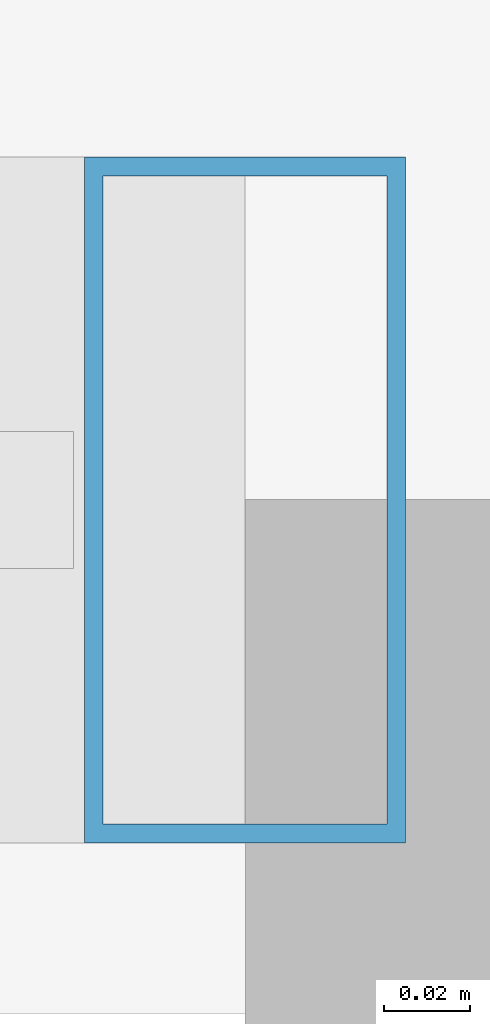
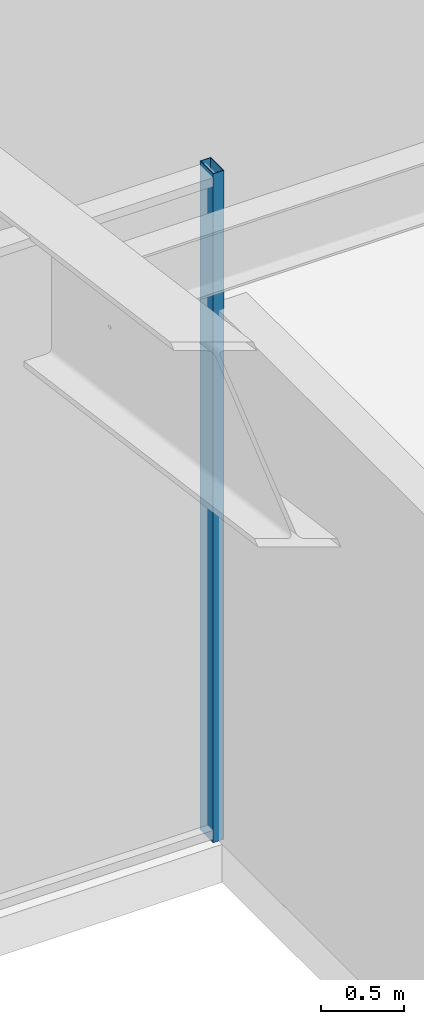
# One storey, part 20 of 49: 1 member, 1 element without a shape of its own.
"""IFC4 building model written with IfcOpenShell, lengths in metres."""

from ifc_helpers import new_model, si_unit, direction, frame, origin, origin_2d, place, context, subcontext, project, spatial, hollow_rectangle, extrude, material, material_profile, profile_set, type_object, element, aggregate, save


model = new_model("IFC4")

# Units and contexts
model_context = context("Model", 3, precision=1e-05, world=origin(), true_north=direction((0.0, 1.0)))
body_context = subcontext(model_context, "Body", "Model", "MODEL_VIEW")
ifc_project = project(units=[si_unit("LENGTHUNIT", "METRE"), si_unit("AREAUNIT", "SQUARE_METRE"), si_unit("VOLUMEUNIT", "CUBIC_METRE"), si_unit("PLANEANGLEUNIT", "RADIAN"), si_unit("MASSUNIT", "GRAM", prefix="KILO")], contexts=[model_context])

# Site, building, storey
site_placement = place(None, origin())
site = spatial("IfcSite", under=ifc_project, at=site_placement, CompositionType="ELEMENT")
building_placement = place(site_placement, origin())
building = spatial("IfcBuilding", under=site, at=building_placement, Name="Kolvaren Belvedere", CompositionType="ELEMENT")
storey_placement = place(building_placement, frame((0.0, 0.0, 10.0)))
storey = spatial("IfcBuildingStorey", under=building, at=storey_placement, Name="L03", CompositionType="ELEMENT", Elevation=10.0)

# Curtain wall, member
ifc_material_1 = material(Name="Anodised pale-metal aluminium AA 6063-T6", Category="aluminium")
curtain_wall_type = type_object("IfcCurtainWallType", Name="CW-POD-A", PredefinedType="NOTDEFINED", material=ifc_material_1)
curtain_wall_placement = place(storey_placement, origin())
curtain_wall = element("IfcCurtainWall", 1, at=curtain_wall_placement, inside=storey, type_object=curtain_wall_type, Name="L03 Unitised Curtain Wall FCW-L03-SEG3", PredefinedType="NOTDEFINED")
ifc_material_2 = material(Name="Anodised pale-metal aluminium AA 6063-T6", Category="aluminium")
ifc_material_profile = material_profile(ifc_material_2, hollow_rectangle(XDim=0.074951171875, YDim=0.159912109375, WallThickness=0.00439453125, at=origin_2d()), Name="ALU-MUL-160X75")
ifc_profile_set = profile_set([ifc_material_profile], Name="Anodised pale-metal aluminium AA 6063-T6")
member_type = type_object("IfcMemberType", Name="CW-MUL-160", PredefinedType="MULLION", material=ifc_profile_set)
member_placement = place(storey_placement, frame((12.0, -18.280029296875, 0.0), z_axis=(0.0, 0.0, 1.0), x_axis=(1.0, 0.0, 0.0)))
member = element("IfcMember", 2, at=member_placement, type_object=member_type, Name="FCW-L03-SEG3 Unitised Mullion 1", PredefinedType="MULLION", context=body_context, shape_type="SweptSolid", body=[
    extrude(hollow_rectangle(XDim=0.074951171875, YDim=0.159912109375, WallThickness=0.00439453125, at=origin_2d()), origin(), (0.0, 0.0, 1.0), 4.919921875),
])
aggregate(curtain_wall, [member])

save(model, "model.ifc")
